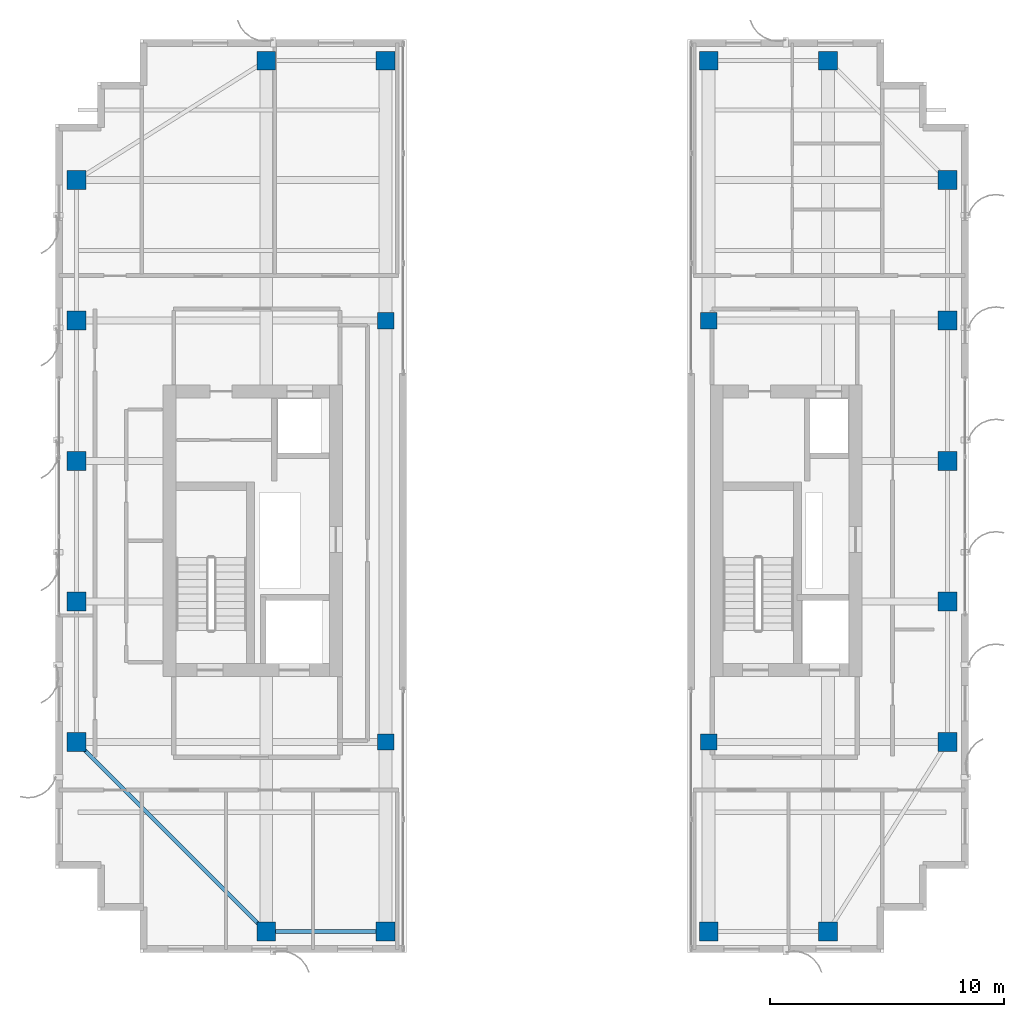
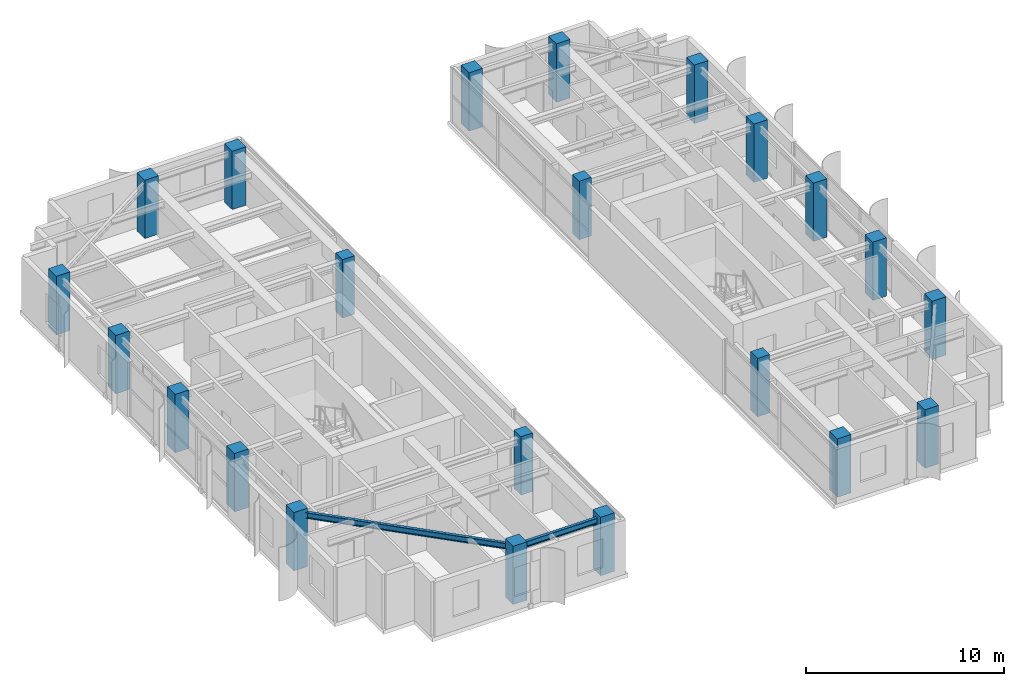
# One storey, part 1 of 24: 22 columns, 2 beams.
"""IFC4 building model written with IfcOpenShell, lengths in metres."""

from ifc_helpers import new_model, si_unit, direction, frame, origin, origin_2d, place, context, subcontext, project, spatial, rectangle, i_section, extrude, source, transform, mapped, material, material_profile, profile_set, type_object, element, save


model = new_model("IFC4")

# Units and contexts
model_context = context("Model", 3, precision=1e-05, world=origin(), true_north=direction((0.0, 1.0)))
body_context = subcontext(model_context, "Body", "Model", "MODEL_VIEW")
ifc_project = project(units=[si_unit("LENGTHUNIT", "METRE"), si_unit("AREAUNIT", "SQUARE_METRE"), si_unit("VOLUMEUNIT", "CUBIC_METRE"), si_unit("PLANEANGLEUNIT", "RADIAN"), si_unit("MASSUNIT", "GRAM", prefix="KILO")], contexts=[model_context])

# Site, building, storey
site_placement = place(None, origin())
site = spatial("IfcSite", under=ifc_project, at=site_placement, CompositionType="ELEMENT")
building_placement = place(site_placement, origin())
building = spatial("IfcBuilding", under=site, at=building_placement, Name="Khoralis Quay Care Tower", CompositionType="ELEMENT")
storey_placement = place(building_placement, frame((0.0, 0.0, 249.300048828125)))
storey = spatial("IfcBuildingStorey", under=building, at=storey_placement, Name="L65", CompositionType="ELEMENT", Elevation=249.300048828125)

# Columns
ifc_material_1 = material(Name="Concrete C50/60", Category="concrete")
ifc_material_profile_1 = material_profile(ifc_material_1, rectangle(XDim=0.800048828125, YDim=0.800048828125, at=origin_2d()), Name="Concrete C50/60")
ifc_profile_set_1 = profile_set([ifc_material_profile_1], Name="Concrete C50/60")
column_type_1 = type_object("IfcColumnType", Name="COL-C800", PredefinedType="COLUMN", material=ifc_profile_set_1)
shared_shape_1 = source(origin(), body_context, "Body", "SweptSolid", [
    extrude(rectangle(XDim=0.800048828125, YDim=0.800048828125, at=origin_2d()), origin(), (0.0, 0.0, 1.0), 3.599853515625),
])
for number, where, z_axis, x_axis, name in (
    (1, (12.0, 3.89990234375, 0.0), (0.0, 0.0, 1.0), (1.0, 0.0, 0.0), "COL-TWR-L65-01"),
    (2, (12.0, 41.10009765625, 0.0), (0.0, 0.0, 1.0), (1.0, 0.0, 0.0), "COL-TWR-L65-02"),
    (3, (17.10009765625, 3.89990234375, 0.0), (0.0, 0.0, 1.0), (1.0, 0.0, 0.0), "COL-TWR-L65-03"),
    (4, (17.10009765625, 41.10009765625, 0.0), (0.0, 0.0, 1.0), (1.0, 0.0, 0.0), "COL-TWR-L65-04"),
    (5, (30.89990234375, 3.89990234375, 0.0), (0.0, 0.0, 1.0), (1.0, 0.0, 0.0), "COL-TWR-L65-05"),
    (6, (30.89990234375, 41.10009765625, 0.0), (0.0, 0.0, 1.0), (1.0, 0.0, 0.0), "COL-TWR-L65-06"),
    (7, (36.0, 3.89990234375, 0.0), (0.0, 0.0, 1.0), (1.0, 0.0, 0.0), "COL-TWR-L65-07"),
    (8, (36.0, 41.10009765625, 0.0), (0.0, 0.0, 1.0), (1.0, 0.0, 0.0), "COL-TWR-L65-08"),
    (9, (3.89990234375, 12.0, 0.0), (0.0, 0.0, 1.0), (1.0, 0.0, 0.0), "COL-TWR-L65-09"),
    (10, (41.10009765625, 12.0, 0.0), (0.0, 0.0, 1.0), (1.0, 0.0, 0.0), "COL-TWR-L65-10"),
    (11, (3.89990234375, 18.0, 0.0), (0.0, 0.0, 1.0), (1.0, 0.0, 0.0), "COL-TWR-L65-11"),
    (12, (41.10009765625, 18.0, 0.0), (0.0, 0.0, 1.0), (1.0, 0.0, 0.0), "COL-TWR-L65-12"),
    (13, (3.89990234375, 24.0, 0.0), (0.0, 0.0, 1.0), (1.0, 0.0, 0.0), "COL-TWR-L65-13"),
    (14, (41.10009765625, 24.0, 0.0), (0.0, 0.0, 1.0), (1.0, 0.0, 0.0), "COL-TWR-L65-14"),
    (15, (3.89990234375, 30.0, 0.0), (0.0, 0.0, 1.0), (1.0, 0.0, 0.0), "COL-TWR-L65-15"),
    (16, (41.10009765625, 30.0, 0.0), (0.0, 0.0, 1.0), (1.0, 0.0, 0.0), "COL-TWR-L65-16"),
    (17, (3.89990234375, 36.0, 0.0), (0.0, 0.0, 1.0), (1.0, 0.0, 0.0), "COL-TWR-L65-17"),
    (18, (41.10009765625, 36.0, 0.0), (0.0, 0.0, 1.0), (1.0, 0.0, 0.0), "COL-TWR-L65-18"),
):
    element("IfcColumn", number, at=place(storey_placement, frame(where, z_axis=z_axis, x_axis=x_axis)), inside=storey, type_object=column_type_1, Name=name, PredefinedType="COLUMN", context=body_context, shape_type="MappedRepresentation", body=[
        mapped(shared_shape_1, transform((0.0, 0.0, 0.0), scale=1.0)),
    ])
ifc_material_profile_2 = material_profile(ifc_material_1, rectangle(XDim=0.699951171875, YDim=0.699951171875, at=origin_2d()), Name="Concrete C50/60")
ifc_profile_set_2 = profile_set([ifc_material_profile_2], Name="Concrete C50/60")
column_type_2 = type_object("IfcColumnType", Name="COL-C700", PredefinedType="COLUMN", material=ifc_profile_set_2)
shared_shape_2 = source(origin(), body_context, "Body", "SweptSolid", [
    extrude(rectangle(XDim=0.699951171875, YDim=0.699951171875, at=origin_2d()), origin(), (0.0, 0.0, 1.0), 3.599853515625),
])
for number, where, z_axis, x_axis, name in (
    (19, (17.10009765625, 12.0, 0.0), (0.0, 0.0, 1.0), (1.0, 0.0, 0.0), "COL-TWR-L65-19"),
    (20, (17.10009765625, 30.0, 0.0), (0.0, 0.0, 1.0), (1.0, 0.0, 0.0), "COL-TWR-L65-20"),
    (21, (30.89990234375, 12.0, 0.0), (0.0, 0.0, 1.0), (1.0, 0.0, 0.0), "COL-TWR-L65-21"),
    (22, (30.89990234375, 30.0, 0.0), (0.0, 0.0, 1.0), (1.0, 0.0, 0.0), "COL-TWR-L65-22"),
):
    element("IfcColumn", number, at=place(storey_placement, frame(where, z_axis=z_axis, x_axis=x_axis)), inside=storey, type_object=column_type_2, Name=name, PredefinedType="COLUMN", context=body_context, shape_type="MappedRepresentation", body=[
        mapped(shared_shape_2, transform((0.0, 0.0, 0.0), scale=1.0)),
    ])

# Beams
ifc_material_2 = material(Name="Steel S355", Category="steel")
ifc_material_profile_3 = material_profile(ifc_material_2, i_section(OverallWidth=0.169921875, OverallDepth=0.360107421875, WebThickness=0.008056640625, FlangeThickness=0.0126953125, FilletRadius=0.01806640625, at=origin_2d()), Name="Steel S355")
ifc_profile_set_3 = profile_set([ifc_material_profile_3], Name="Steel S355")
beam_type = type_object("IfcBeamType", Name="BM-IPE360", PredefinedType="SPANDREL", material=ifc_profile_set_3)
shared_shape_3 = source(origin(), body_context, "Body", "SweptSolid", [
    extrude(i_section(OverallWidth=0.169921875, OverallDepth=0.360107421875, WebThickness=0.008056640625, FlangeThickness=0.0126953125, FilletRadius=0.01806640625, at=origin_2d()), origin(), (0.0, 0.0, 1.0), 5.10009765625),
])
beam_1_placement = place(storey_placement, frame((12.0, 3.89990234375, 3.179931640625), z_axis=(1.0, 0.0, 0.0), x_axis=(0.0, 1.0, 0.0)))
element("IfcBeam", 23, at=beam_1_placement, inside=storey, type_object=beam_type, Name="BM-TSP-L65-01", PredefinedType="SPANDREL", context=body_context, shape_type="MappedRepresentation", body=[
    mapped(shared_shape_3, transform((0.0, 0.0, 0.0), scale=1.0)),
])
shared_shape_4 = source(origin(), body_context, "Body", "SweptSolid", [
    extrude(i_section(OverallWidth=0.169921875, OverallDepth=0.360107421875, WebThickness=0.008056640625, FlangeThickness=0.0126953125, FilletRadius=0.01806640625, at=origin_2d()), origin(), (0.0, 0.0, 1.0), 11.455322265625),
])
beam_2_placement = place(storey_placement, frame((12.0, 3.89990234375, 3.179931640625), z_axis=(-0.707106781187, 0.707106781187, 0.0), x_axis=(-0.707106781187, -0.707106781187, 0.0)))
element("IfcBeam", 24, at=beam_2_placement, inside=storey, type_object=beam_type, Name="BM-TCR-L65-13", PredefinedType="SPANDREL", context=body_context, shape_type="MappedRepresentation", body=[
    mapped(shared_shape_4, transform((0.0, 0.0, 0.0), scale=1.0)),
])

save(model, "model.ifc")
